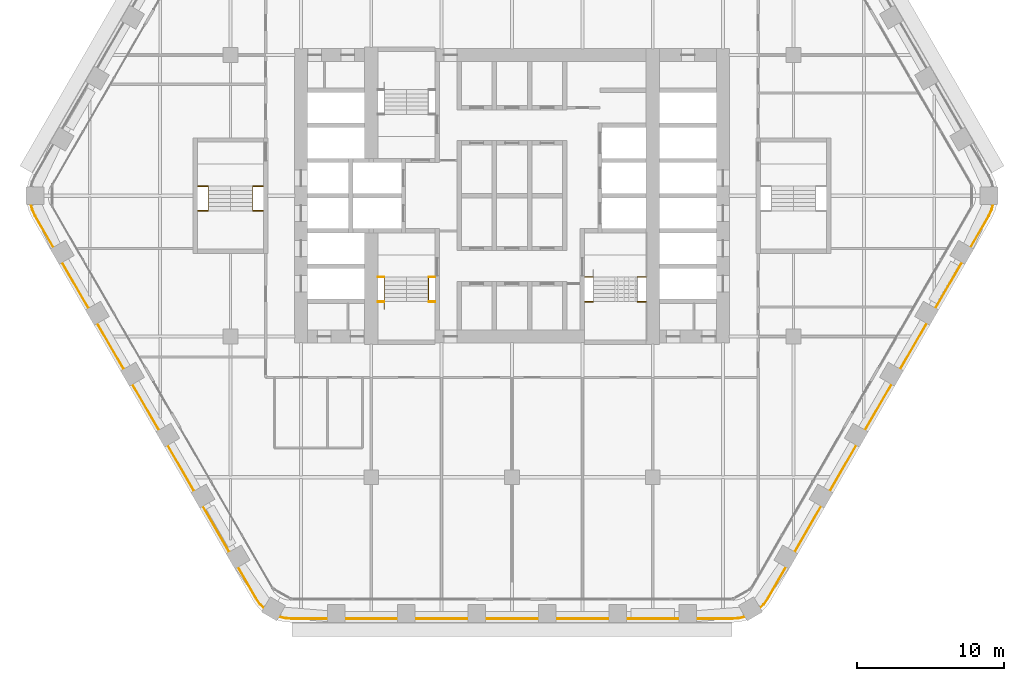
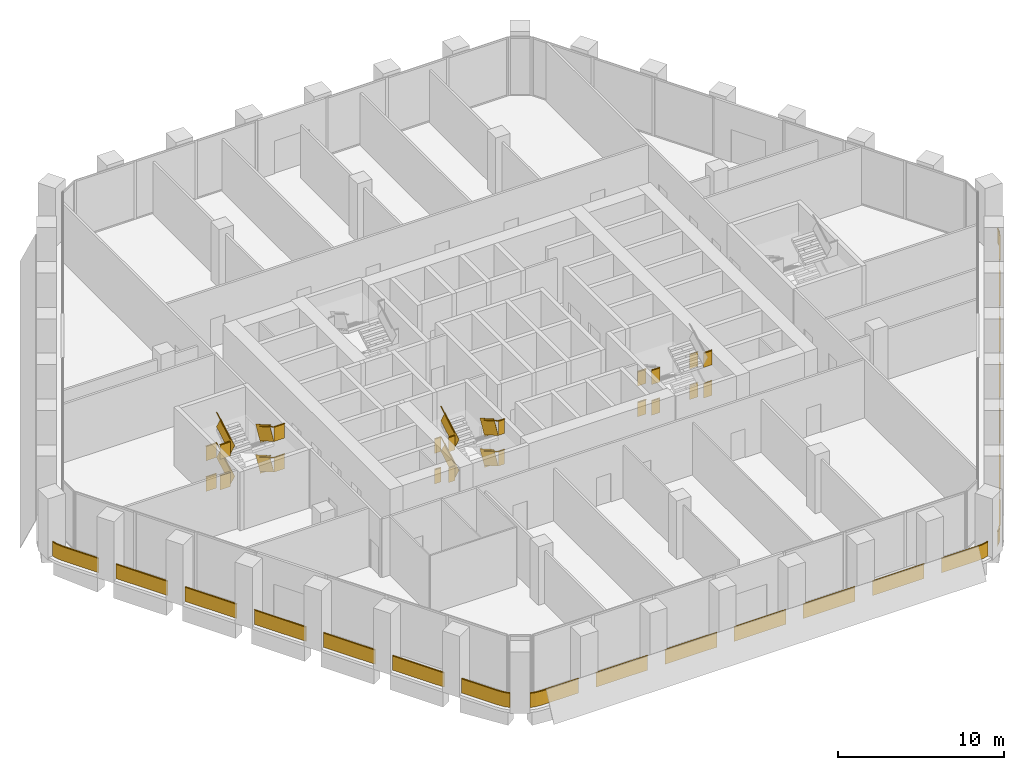
# One storey, part 21 of 22: 8 railings.
"""IFC4 building model written with IfcOpenShell, lengths in metres."""

from ifc_helpers import new_model, si_unit, direction, frame, frame_2d, origin, origin_2d, place, context, subcontext, project, spatial, rectangle, extrude, material, type_object, element, save


model = new_model("IFC4")

# Units and contexts
model_context = context("Model", 3, precision=1e-05, world=origin(), true_north=direction((0.0, 1.0)))
body_context = subcontext(model_context, "Body", "Model", "MODEL_VIEW")
ifc_project = project(units=[si_unit("LENGTHUNIT", "METRE"), si_unit("AREAUNIT", "SQUARE_METRE"), si_unit("VOLUMEUNIT", "CUBIC_METRE"), si_unit("PLANEANGLEUNIT", "RADIAN"), si_unit("MASSUNIT", "GRAM", prefix="KILO")], contexts=[model_context])

# Site, building, storey
site_placement = place(None, origin())
site = spatial("IfcSite", under=ifc_project, at=site_placement, CompositionType="ELEMENT")
building_placement = place(site_placement, origin())
building = spatial("IfcBuilding", under=site, at=building_placement, Name="Kolab Exchange Tower", CompositionType="ELEMENT")
storey_placement = place(building_placement, frame((0.0, 0.0, 113.89990234375)))
storey = spatial("IfcBuildingStorey", under=building, at=storey_placement, Name="L22", CompositionType="ELEMENT", Elevation=113.89990234375)

# Railings
ifc_material_1 = material(Name="Stainless steel 316", Category="steel")
railing_type_1 = type_object("IfcRailingType", Name="GUARD 1100", PredefinedType="GUARDRAIL", material=ifc_material_1)
railing_1_placement = place(storey_placement, frame((-9.14990234375, -5.550048828125, 0.0)))
element("IfcRailing", 1, at=railing_1_placement, inside=storey, type_object=railing_type_1, Name="Guard ST3", PredefinedType="GUARDRAIL", context=body_context, shape_type="SweptSolid", body=[
    extrude(rectangle(XDim=0.05, YDim=0.05, at=origin_2d()), frame((0.0, 0.0, 1.0751953125), z_axis=(1.0, 0.0, 0.0), x_axis=(0.0, 1.0, 0.0)), (0.0, 0.0, 1.0), 0.43994140625),
    extrude(rectangle(XDim=0.012, YDim=1.05009765625, at=frame_2d((0.0, 0.525146484375))), frame((0.0, 0.0, 0.0), z_axis=(1.0, 0.0, 0.0), x_axis=(0.0, 1.0, 0.0)), (0.0, 0.0, 1.0), 0.43994140625),
    extrude(rectangle(XDim=0.05, YDim=0.05, at=origin_2d()), frame((3.4599609375, 0.0, 1.0751953125), z_axis=(1.0, 0.0, 0.0), x_axis=(0.0, 1.0, 0.0)), (0.0, 0.0, 1.0), 0.43994140625),
    extrude(rectangle(XDim=0.012, YDim=1.05009765625, at=frame_2d((0.0, 0.525146484375))), frame((3.4599609375, 0.0, 0.0), z_axis=(1.0, 0.0, 0.0), x_axis=(0.0, 1.0, 0.0)), (0.0, 0.0, 1.0), 0.43994140625),
    extrude(rectangle(XDim=0.05, YDim=0.05, at=origin_2d()), frame((0.0, -1.679931640625, 2.2001953125), z_axis=(1.0, 0.0, 0.0), x_axis=(0.0, 1.0, 0.0)), (0.0, 0.0, 1.0), 0.43994140625),
    extrude(rectangle(XDim=0.012, YDim=1.05009765625, at=frame_2d((0.0, 0.525146484375))), frame((0.0, -1.679931640625, 1.125), z_axis=(1.0, 0.0, 0.0), x_axis=(0.0, 1.0, 0.0)), (0.0, 0.0, 1.0), 0.43994140625),
    extrude(rectangle(XDim=0.05, YDim=0.05, at=origin_2d()), frame((3.4599609375, -1.679931640625, 2.2001953125), z_axis=(1.0, 0.0, 0.0), x_axis=(0.0, 1.0, 0.0)), (0.0, 0.0, 1.0), 0.43994140625),
    extrude(rectangle(XDim=0.012, YDim=1.05009765625, at=frame_2d((0.0, 0.525146484375))), frame((3.4599609375, -1.679931640625, 1.125), z_axis=(1.0, 0.0, 0.0), x_axis=(0.0, 1.0, 0.0)), (0.0, 0.0, 1.0), 0.43994140625),
    extrude(rectangle(XDim=0.05, YDim=0.05, at=origin_2d()), frame((0.0, 0.0, 3.3251953125), z_axis=(1.0, 0.0, 0.0), x_axis=(0.0, 1.0, 0.0)), (0.0, 0.0, 1.0), 0.43994140625),
    extrude(rectangle(XDim=0.012, YDim=1.05009765625, at=frame_2d((0.0, 0.525146484375))), frame((0.0, 0.0, 2.25), z_axis=(1.0, 0.0, 0.0), x_axis=(0.0, 1.0, 0.0)), (0.0, 0.0, 1.0), 0.43994140625),
    extrude(rectangle(XDim=0.05, YDim=0.05, at=origin_2d()), frame((3.4599609375, 0.0, 3.3251953125), z_axis=(1.0, 0.0, 0.0), x_axis=(0.0, 1.0, 0.0)), (0.0, 0.0, 1.0), 0.43994140625),
    extrude(rectangle(XDim=0.012, YDim=1.05009765625, at=frame_2d((0.0, 0.525146484375))), frame((3.4599609375, 0.0, 2.25), z_axis=(1.0, 0.0, 0.0), x_axis=(0.0, 1.0, 0.0)), (0.0, 0.0, 1.0), 0.43994140625),
    extrude(rectangle(XDim=0.05, YDim=0.05, at=origin_2d()), frame((0.0, -1.679931640625, 4.4501953125), z_axis=(1.0, 0.0, 0.0), x_axis=(0.0, 1.0, 0.0)), (0.0, 0.0, 1.0), 0.43994140625),
    extrude(rectangle(XDim=0.012, YDim=1.05009765625, at=frame_2d((0.0, 0.525146484375))), frame((0.0, -1.679931640625, 3.375), z_axis=(1.0, 0.0, 0.0), x_axis=(0.0, 1.0, 0.0)), (0.0, 0.0, 1.0), 0.43994140625),
    extrude(rectangle(XDim=0.05, YDim=0.05, at=origin_2d()), frame((3.4599609375, -1.679931640625, 4.4501953125), z_axis=(1.0, 0.0, 0.0), x_axis=(0.0, 1.0, 0.0)), (0.0, 0.0, 1.0), 0.43994140625),
    extrude(rectangle(XDim=0.012, YDim=1.05009765625, at=frame_2d((0.0, 0.525146484375))), frame((3.4599609375, -1.679931640625, 3.375), z_axis=(1.0, 0.0, 0.0), x_axis=(0.0, 1.0, 0.0)), (0.0, 0.0, 1.0), 0.43994140625),
])
railing_2_placement = place(storey_placement, frame((-5.68994140625, -5.550048828125, 0.160888671875)))
element("IfcRailing", 2, at=railing_2_placement, inside=storey, type_object=railing_type_1, Name="Handrail guard ST3", PredefinedType="GUARDRAIL", context=body_context, shape_type="SweptSolid", body=[
    extrude(rectangle(XDim=0.05, YDim=0.05, at=origin_2d()), frame((0.0, 0.0, 1.0751953125), z_axis=(0.0, -0.867318599139, 0.497753400378), x_axis=(1.0, 0.0, 0.0)), (0.0, 0.0, 1.0), 1.93701171875),
    extrude(rectangle(XDim=0.012, YDim=1.05009765625, at=frame_2d((0.0, 0.525146484375))), frame((0.0, 0.0, 0.0), z_axis=(0.0, -0.867318599139, 0.497753400378), x_axis=(1.0, 0.0, 0.0)), (0.0, 0.0, 1.0), 1.93701171875),
    extrude(rectangle(XDim=0.05, YDim=0.05, at=origin_2d()), frame((-3.02001953125, -1.679931640625, 2.2001953125), z_axis=(0.0, 0.867318599139, 0.497753400378), x_axis=(-1.0, 0.0, 0.0)), (0.0, 0.0, 1.0), 1.93701171875),
    extrude(rectangle(XDim=0.012, YDim=1.05009765625, at=frame_2d((0.0, 0.525146484375))), frame((-3.02001953125, -1.679931640625, 1.125), z_axis=(0.0, 0.867318599139, 0.497753400378), x_axis=(-1.0, 0.0, 0.0)), (0.0, 0.0, 1.0), 1.93701171875),
    extrude(rectangle(XDim=0.05, YDim=0.05, at=origin_2d()), frame((0.0, 0.0, 3.3251953125), z_axis=(0.0, -0.867318599139, 0.497753400378), x_axis=(1.0, 0.0, 0.0)), (0.0, 0.0, 1.0), 1.93701171875),
    extrude(rectangle(XDim=0.012, YDim=1.05009765625, at=frame_2d((0.0, 0.525146484375))), frame((0.0, 0.0, 2.25), z_axis=(0.0, -0.867318599139, 0.497753400378), x_axis=(1.0, 0.0, 0.0)), (0.0, 0.0, 1.0), 1.93701171875),
    extrude(rectangle(XDim=0.05, YDim=0.05, at=origin_2d()), frame((-3.02001953125, -1.679931640625, 4.4501953125), z_axis=(0.0, 0.867318599139, 0.497753400378), x_axis=(-1.0, 0.0, 0.0)), (0.0, 0.0, 1.0), 1.93701171875),
    extrude(rectangle(XDim=0.012, YDim=1.05009765625, at=frame_2d((0.0, 0.525146484375))), frame((-3.02001953125, -1.679931640625, 3.375), z_axis=(0.0, 0.867318599139, 0.497753400378), x_axis=(-1.0, 0.0, 0.0)), (0.0, 0.0, 1.0), 1.93701171875),
])
railing_3_placement = place(storey_placement, frame((4.949951171875, -5.550048828125, 0.0)))
element("IfcRailing", 3, at=railing_3_placement, inside=storey, type_object=railing_type_1, Name="Guard ST2", PredefinedType="GUARDRAIL", context=body_context, shape_type="SweptSolid", body=[
    extrude(rectangle(XDim=0.05, YDim=0.05, at=origin_2d()), frame((0.0, 0.0, 1.0751953125), z_axis=(1.0, 0.0, 0.0), x_axis=(0.0, 1.0, 0.0)), (0.0, 0.0, 1.0), 0.590087890625),
    extrude(rectangle(XDim=0.012, YDim=1.05009765625, at=frame_2d((0.0, 0.525146484375))), frame((0.0, 0.0, 0.0), z_axis=(1.0, 0.0, 0.0), x_axis=(0.0, 1.0, 0.0)), (0.0, 0.0, 1.0), 0.590087890625),
    extrude(rectangle(XDim=0.05, YDim=0.05, at=origin_2d()), frame((3.610107421875, 0.0, 1.0751953125), z_axis=(1.0, 0.0, 0.0), x_axis=(0.0, 1.0, 0.0)), (0.0, 0.0, 1.0), 0.58984375),
    extrude(rectangle(XDim=0.012, YDim=1.05009765625, at=frame_2d((0.0, 0.525146484375))), frame((3.610107421875, 0.0, 0.0), z_axis=(1.0, 0.0, 0.0), x_axis=(0.0, 1.0, 0.0)), (0.0, 0.0, 1.0), 0.58984375),
    extrude(rectangle(XDim=0.05, YDim=0.05, at=origin_2d()), frame((0.0, -1.679931640625, 2.2001953125), z_axis=(1.0, 0.0, 0.0), x_axis=(0.0, 1.0, 0.0)), (0.0, 0.0, 1.0), 0.590087890625),
    extrude(rectangle(XDim=0.012, YDim=1.05009765625, at=frame_2d((0.0, 0.525146484375))), frame((0.0, -1.679931640625, 1.125), z_axis=(1.0, 0.0, 0.0), x_axis=(0.0, 1.0, 0.0)), (0.0, 0.0, 1.0), 0.590087890625),
    extrude(rectangle(XDim=0.05, YDim=0.05, at=origin_2d()), frame((3.610107421875, -1.679931640625, 2.2001953125), z_axis=(1.0, 0.0, 0.0), x_axis=(0.0, 1.0, 0.0)), (0.0, 0.0, 1.0), 0.58984375),
    extrude(rectangle(XDim=0.012, YDim=1.05009765625, at=frame_2d((0.0, 0.525146484375))), frame((3.610107421875, -1.679931640625, 1.125), z_axis=(1.0, 0.0, 0.0), x_axis=(0.0, 1.0, 0.0)), (0.0, 0.0, 1.0), 0.58984375),
    extrude(rectangle(XDim=0.05, YDim=0.05, at=origin_2d()), frame((0.0, 0.0, 3.3251953125), z_axis=(1.0, 0.0, 0.0), x_axis=(0.0, 1.0, 0.0)), (0.0, 0.0, 1.0), 0.590087890625),
    extrude(rectangle(XDim=0.012, YDim=1.05009765625, at=frame_2d((0.0, 0.525146484375))), frame((0.0, 0.0, 2.25), z_axis=(1.0, 0.0, 0.0), x_axis=(0.0, 1.0, 0.0)), (0.0, 0.0, 1.0), 0.590087890625),
    extrude(rectangle(XDim=0.05, YDim=0.05, at=origin_2d()), frame((3.610107421875, 0.0, 3.3251953125), z_axis=(1.0, 0.0, 0.0), x_axis=(0.0, 1.0, 0.0)), (0.0, 0.0, 1.0), 0.58984375),
    extrude(rectangle(XDim=0.012, YDim=1.05009765625, at=frame_2d((0.0, 0.525146484375))), frame((3.610107421875, 0.0, 2.25), z_axis=(1.0, 0.0, 0.0), x_axis=(0.0, 1.0, 0.0)), (0.0, 0.0, 1.0), 0.58984375),
    extrude(rectangle(XDim=0.05, YDim=0.05, at=origin_2d()), frame((0.0, -1.679931640625, 4.4501953125), z_axis=(1.0, 0.0, 0.0), x_axis=(0.0, 1.0, 0.0)), (0.0, 0.0, 1.0), 0.590087890625),
    extrude(rectangle(XDim=0.012, YDim=1.05009765625, at=frame_2d((0.0, 0.525146484375))), frame((0.0, -1.679931640625, 3.375), z_axis=(1.0, 0.0, 0.0), x_axis=(0.0, 1.0, 0.0)), (0.0, 0.0, 1.0), 0.590087890625),
    extrude(rectangle(XDim=0.05, YDim=0.05, at=origin_2d()), frame((3.610107421875, -1.679931640625, 4.4501953125), z_axis=(1.0, 0.0, 0.0), x_axis=(0.0, 1.0, 0.0)), (0.0, 0.0, 1.0), 0.58984375),
    extrude(rectangle(XDim=0.012, YDim=1.05009765625, at=frame_2d((0.0, 0.525146484375))), frame((3.610107421875, -1.679931640625, 3.375), z_axis=(1.0, 0.0, 0.0), x_axis=(0.0, 1.0, 0.0)), (0.0, 0.0, 1.0), 0.58984375),
])
railing_4_placement = place(storey_placement, frame((-21.449951171875, 0.64990234375, 0.0)))
element("IfcRailing", 4, at=railing_4_placement, inside=storey, type_object=railing_type_1, Name="Guard ST5", PredefinedType="GUARDRAIL", context=body_context, shape_type="SweptSolid", body=[
    extrude(rectangle(XDim=0.05, YDim=0.05, at=origin_2d()), frame((0.0, 0.0, 1.0751953125), z_axis=(1.0, 0.0, 0.0), x_axis=(0.0, 1.0, 0.0)), (0.0, 0.0, 1.0), 0.739990234375),
    extrude(rectangle(XDim=0.012, YDim=1.05009765625, at=frame_2d((0.0, 0.525146484375))), frame((0.0, 0.0, 0.0), z_axis=(1.0, 0.0, 0.0), x_axis=(0.0, 1.0, 0.0)), (0.0, 0.0, 1.0), 0.739990234375),
    extrude(rectangle(XDim=0.05, YDim=0.05, at=origin_2d()), frame((3.760009765625, 0.0, 1.0751953125), z_axis=(1.0, 0.0, 0.0), x_axis=(0.0, 1.0, 0.0)), (0.0, 0.0, 1.0), 0.739990234375),
    extrude(rectangle(XDim=0.012, YDim=1.05009765625, at=frame_2d((0.0, 0.525146484375))), frame((3.760009765625, 0.0, 0.0), z_axis=(1.0, 0.0, 0.0), x_axis=(0.0, 1.0, 0.0)), (0.0, 0.0, 1.0), 0.739990234375),
    extrude(rectangle(XDim=0.05, YDim=0.05, at=origin_2d()), frame((0.0, -1.679931640625, 2.2001953125), z_axis=(1.0, 0.0, 0.0), x_axis=(0.0, 1.0, 0.0)), (0.0, 0.0, 1.0), 0.739990234375),
    extrude(rectangle(XDim=0.012, YDim=1.05009765625, at=frame_2d((0.0, 0.525146484375))), frame((0.0, -1.679931640625, 1.125), z_axis=(1.0, 0.0, 0.0), x_axis=(0.0, 1.0, 0.0)), (0.0, 0.0, 1.0), 0.739990234375),
    extrude(rectangle(XDim=0.05, YDim=0.05, at=origin_2d()), frame((3.760009765625, -1.679931640625, 2.2001953125), z_axis=(1.0, 0.0, 0.0), x_axis=(0.0, 1.0, 0.0)), (0.0, 0.0, 1.0), 0.739990234375),
    extrude(rectangle(XDim=0.012, YDim=1.05009765625, at=frame_2d((0.0, 0.525146484375))), frame((3.760009765625, -1.679931640625, 1.125), z_axis=(1.0, 0.0, 0.0), x_axis=(0.0, 1.0, 0.0)), (0.0, 0.0, 1.0), 0.739990234375),
    extrude(rectangle(XDim=0.05, YDim=0.05, at=origin_2d()), frame((0.0, 0.0, 3.3251953125), z_axis=(1.0, 0.0, 0.0), x_axis=(0.0, 1.0, 0.0)), (0.0, 0.0, 1.0), 0.739990234375),
    extrude(rectangle(XDim=0.012, YDim=1.05009765625, at=frame_2d((0.0, 0.525146484375))), frame((0.0, 0.0, 2.25), z_axis=(1.0, 0.0, 0.0), x_axis=(0.0, 1.0, 0.0)), (0.0, 0.0, 1.0), 0.739990234375),
    extrude(rectangle(XDim=0.05, YDim=0.05, at=origin_2d()), frame((3.760009765625, 0.0, 3.3251953125), z_axis=(1.0, 0.0, 0.0), x_axis=(0.0, 1.0, 0.0)), (0.0, 0.0, 1.0), 0.739990234375),
    extrude(rectangle(XDim=0.012, YDim=1.05009765625, at=frame_2d((0.0, 0.525146484375))), frame((3.760009765625, 0.0, 2.25), z_axis=(1.0, 0.0, 0.0), x_axis=(0.0, 1.0, 0.0)), (0.0, 0.0, 1.0), 0.739990234375),
    extrude(rectangle(XDim=0.05, YDim=0.05, at=origin_2d()), frame((0.0, -1.679931640625, 4.4501953125), z_axis=(1.0, 0.0, 0.0), x_axis=(0.0, 1.0, 0.0)), (0.0, 0.0, 1.0), 0.739990234375),
    extrude(rectangle(XDim=0.012, YDim=1.05009765625, at=frame_2d((0.0, 0.525146484375))), frame((0.0, -1.679931640625, 3.375), z_axis=(1.0, 0.0, 0.0), x_axis=(0.0, 1.0, 0.0)), (0.0, 0.0, 1.0), 0.739990234375),
    extrude(rectangle(XDim=0.05, YDim=0.05, at=origin_2d()), frame((3.760009765625, -1.679931640625, 4.4501953125), z_axis=(1.0, 0.0, 0.0), x_axis=(0.0, 1.0, 0.0)), (0.0, 0.0, 1.0), 0.739990234375),
    extrude(rectangle(XDim=0.012, YDim=1.05009765625, at=frame_2d((0.0, 0.525146484375))), frame((3.760009765625, -1.679931640625, 3.375), z_axis=(1.0, 0.0, 0.0), x_axis=(0.0, 1.0, 0.0)), (0.0, 0.0, 1.0), 0.739990234375),
])
railing_5_placement = place(storey_placement, frame((-17.68994140625, 0.64990234375, 0.160888671875)))
element("IfcRailing", 5, at=railing_5_placement, inside=storey, type_object=railing_type_1, Name="Handrail guard ST5", PredefinedType="GUARDRAIL", context=body_context, shape_type="SweptSolid", body=[
    extrude(rectangle(XDim=0.05, YDim=0.05, at=origin_2d()), frame((0.0, 0.0, 1.0751953125), z_axis=(0.0, -0.867318599139, 0.497753400378), x_axis=(1.0, 0.0, 0.0)), (0.0, 0.0, 1.0), 1.93701171875),
    extrude(rectangle(XDim=0.012, YDim=1.05009765625, at=frame_2d((0.0, 0.525146484375))), frame((0.0, 0.0, 0.0), z_axis=(0.0, -0.867318599139, 0.497753400378), x_axis=(1.0, 0.0, 0.0)), (0.0, 0.0, 1.0), 1.93701171875),
    extrude(rectangle(XDim=0.05, YDim=0.05, at=origin_2d()), frame((-3.02001953125, -1.679931640625, 2.2001953125), z_axis=(0.0, 0.867318599139, 0.497753400378), x_axis=(-1.0, 0.0, 0.0)), (0.0, 0.0, 1.0), 1.93701171875),
    extrude(rectangle(XDim=0.012, YDim=1.05009765625, at=frame_2d((0.0, 0.525146484375))), frame((-3.02001953125, -1.679931640625, 1.125), z_axis=(0.0, 0.867318599139, 0.497753400378), x_axis=(-1.0, 0.0, 0.0)), (0.0, 0.0, 1.0), 1.93701171875),
    extrude(rectangle(XDim=0.05, YDim=0.05, at=origin_2d()), frame((0.0, 0.0, 3.3251953125), z_axis=(0.0, -0.867318599139, 0.497753400378), x_axis=(1.0, 0.0, 0.0)), (0.0, 0.0, 1.0), 1.93701171875),
    extrude(rectangle(XDim=0.012, YDim=1.05009765625, at=frame_2d((0.0, 0.525146484375))), frame((0.0, 0.0, 2.25), z_axis=(0.0, -0.867318599139, 0.497753400378), x_axis=(1.0, 0.0, 0.0)), (0.0, 0.0, 1.0), 1.93701171875),
    extrude(rectangle(XDim=0.05, YDim=0.05, at=origin_2d()), frame((-3.02001953125, -1.679931640625, 4.4501953125), z_axis=(0.0, 0.867318599139, 0.497753400378), x_axis=(-1.0, 0.0, 0.0)), (0.0, 0.0, 1.0), 1.93701171875),
    extrude(rectangle(XDim=0.012, YDim=1.05009765625, at=frame_2d((0.0, 0.525146484375))), frame((-3.02001953125, -1.679931640625, 3.375), z_axis=(0.0, 0.867318599139, 0.497753400378), x_axis=(-1.0, 0.0, 0.0)), (0.0, 0.0, 1.0), 1.93701171875),
])
ifc_material_2 = material(Name="Steel S235", Category="steel")
railing_type_2 = type_object("IfcRailingType", Name="GUARD 1100 GLASS BALUSTRADE AND STEEL TOP RAIL", PredefinedType="GUARDRAIL", material=ifc_material_2)
railing_6_placement = place(storey_placement, frame((16.9208984375, -28.119873046875, 0.0)))
element("IfcRailing", 6, at=railing_6_placement, inside=storey, type_object=railing_type_2, Name="Guard", PredefinedType="GUARDRAIL", context=body_context, shape_type="SweptSolid", body=[
    extrude(rectangle(XDim=0.05, YDim=0.05, at=origin_2d()), frame((0.0, 0.0, 1.0751953125), z_axis=(0.707106781187, 0.707106781187, 0.0), x_axis=(-0.707106781187, 0.707106781187, 0.0)), (0.0, 0.0, 1.0), 0.358642578125),
    extrude(rectangle(XDim=0.012, YDim=1.05009765625, at=frame_2d((0.0, 0.525146484375))), frame((0.0, 0.0, 0.0), z_axis=(0.707106781187, 0.707106781187, 0.0), x_axis=(-0.707106781187, 0.707106781187, 0.0)), (0.0, 0.0, 1.0), 0.358642578125),
    extrude(rectangle(XDim=0.05, YDim=0.05, at=origin_2d()), frame((0.253662109375, 0.253662109375, 1.0751953125), z_axis=(0.573359816273, 0.819303680624, 0.0), x_axis=(-0.819303680624, 0.573359816273, 0.0)), (0.0, 0.0, 1.0), 0.4794921875),
    extrude(rectangle(XDim=0.012, YDim=1.05009765625, at=frame_2d((0.0, 0.525146484375))), frame((0.253662109375, 0.253662109375, 0.0), z_axis=(0.573359816273, 0.819303680624, 0.0), x_axis=(-0.819303680624, 0.573359816273, 0.0)), (0.0, 0.0, 1.0), 0.4794921875),
    extrude(rectangle(XDim=0.05, YDim=0.05, at=origin_2d()), frame((0.528564453125, 0.646484375, 1.0751953125), z_axis=(0.500064973171, 0.865987888257, 0.0), x_axis=(-0.865987888257, 0.500064973171, 0.0)), (0.0, 0.0, 1.0), 2.468017578125),
    extrude(rectangle(XDim=0.012, YDim=1.05009765625, at=frame_2d((0.0, 0.525146484375))), frame((0.528564453125, 0.646484375, 0.0), z_axis=(0.500064973171, 0.865987888257, 0.0), x_axis=(-0.865987888257, 0.500064973171, 0.0)), (0.0, 0.0, 1.0), 2.468017578125),
    extrude(rectangle(XDim=0.05, YDim=0.05, at=origin_2d()), frame((2.362548828125, 3.822998046875, 1.0751953125), z_axis=(0.500012057535, 0.866018442252, 0.0), x_axis=(-0.866018442252, 0.500012057535, 0.0)), (0.0, 0.0, 1.0), 3.60009765625),
    extrude(rectangle(XDim=0.012, YDim=1.05009765625, at=frame_2d((0.0, 0.525146484375))), frame((2.362548828125, 3.822998046875, 0.0), z_axis=(0.500012057535, 0.866018442252, 0.0), x_axis=(-0.866018442252, 0.500012057535, 0.0)), (0.0, 0.0, 1.0), 3.60009765625),
    extrude(rectangle(XDim=0.05, YDim=0.05, at=origin_2d()), frame((4.7626953125, 7.97998046875, 1.0751953125), z_axis=(0.499961193289, 0.866047807691, 0.0), x_axis=(-0.866047807691, 0.499961193289, 0.0)), (0.0, 0.0, 1.0), 3.599853515625),
    extrude(rectangle(XDim=0.012, YDim=1.05009765625, at=frame_2d((0.0, 0.525146484375))), frame((4.7626953125, 7.97998046875, 0.0), z_axis=(0.499961193289, 0.866047807691, 0.0), x_axis=(-0.866047807691, 0.499961193289, 0.0)), (0.0, 0.0, 1.0), 3.599853515625),
    extrude(rectangle(XDim=0.05, YDim=0.05, at=origin_2d()), frame((7.16259765625, 12.13671875, 1.0751953125), z_axis=(0.500012057535, 0.866018442252, 0.0), x_axis=(-0.866018442252, 0.500012057535, 0.0)), (0.0, 0.0, 1.0), 3.60009765625),
    extrude(rectangle(XDim=0.012, YDim=1.05009765625, at=frame_2d((0.0, 0.525146484375))), frame((7.16259765625, 12.13671875, 0.0), z_axis=(0.500012057535, 0.866018442252, 0.0), x_axis=(-0.866018442252, 0.500012057535, 0.0)), (0.0, 0.0, 1.0), 3.60009765625),
    extrude(rectangle(XDim=0.05, YDim=0.05, at=origin_2d()), frame((9.5625, 16.293701171875, 1.0751953125), z_axis=(0.500012057535, 0.866018442252, 0.0), x_axis=(-0.866018442252, 0.500012057535, 0.0)), (0.0, 0.0, 1.0), 3.60009765625),
    extrude(rectangle(XDim=0.012, YDim=1.05009765625, at=frame_2d((0.0, 0.525146484375))), frame((9.5625, 16.293701171875, 0.0), z_axis=(0.500012057535, 0.866018442252, 0.0), x_axis=(-0.866018442252, 0.500012057535, 0.0)), (0.0, 0.0, 1.0), 3.60009765625),
    extrude(rectangle(XDim=0.05, YDim=0.05, at=origin_2d()), frame((11.962646484375, 20.45068359375, 1.0751953125), z_axis=(0.500012057535, 0.866018442252, 0.0), x_axis=(-0.866018442252, 0.500012057535, 0.0)), (0.0, 0.0, 1.0), 3.60009765625),
    extrude(rectangle(XDim=0.012, YDim=1.05009765625, at=frame_2d((0.0, 0.525146484375))), frame((11.962646484375, 20.45068359375, 0.0), z_axis=(0.500012057535, 0.866018442252, 0.0), x_axis=(-0.866018442252, 0.500012057535, 0.0)), (0.0, 0.0, 1.0), 3.60009765625),
    extrude(rectangle(XDim=0.05, YDim=0.05, at=origin_2d()), frame((14.362548828125, 24.607666015625, 1.0751953125), z_axis=(0.500064973171, 0.865987888257, 0.0), x_axis=(-0.865987888257, 0.500064973171, 0.0)), (0.0, 0.0, 1.0), 2.468017578125),
    extrude(rectangle(XDim=0.012, YDim=1.05009765625, at=frame_2d((0.0, 0.525146484375))), frame((14.362548828125, 24.607666015625, 0.0), z_axis=(0.500064973171, 0.865987888257, 0.0), x_axis=(-0.865987888257, 0.500064973171, 0.0)), (0.0, 0.0, 1.0), 2.468017578125),
    extrude(rectangle(XDim=0.05, YDim=0.05, at=origin_2d()), frame((15.5966796875, 26.744873046875, 1.0751953125), z_axis=(0.422383329074, 0.906417300872, 0.0), x_axis=(-0.906417300872, 0.422383329074, 0.0)), (0.0, 0.0, 1.0), 0.479248046875),
    extrude(rectangle(XDim=0.012, YDim=1.05009765625, at=frame_2d((0.0, 0.525146484375))), frame((15.5966796875, 26.744873046875, 0.0), z_axis=(0.422383329074, 0.906417300872, 0.0), x_axis=(-0.906417300872, 0.422383329074, 0.0)), (0.0, 0.0, 1.0), 0.479248046875),
    extrude(rectangle(XDim=0.05, YDim=0.05, at=origin_2d()), frame((15.799072265625, 27.17919921875, 1.0751953125), z_axis=(0.259144041577, 0.965838685141, 0.0), x_axis=(-0.965838685141, 0.259144041577, 0.0)), (0.0, 0.0, 1.0), 0.35888671875),
    extrude(rectangle(XDim=0.012, YDim=1.05009765625, at=frame_2d((0.0, 0.525146484375))), frame((15.799072265625, 27.17919921875, 0.0), z_axis=(0.259144041577, 0.965838685141, 0.0), x_axis=(-0.965838685141, 0.259144041577, 0.0)), (0.0, 0.0, 1.0), 0.35888671875),
])
railing_7_placement = place(storey_placement, frame((-15.89208984375, -28.7138671875, 0.0)))
element("IfcRailing", 7, at=railing_7_placement, inside=storey, type_object=railing_type_2, Name="Guard", PredefinedType="GUARDRAIL", context=body_context, shape_type="SweptSolid", body=[
    extrude(rectangle(XDim=0.05, YDim=0.05, at=origin_2d()), frame((0.0, 0.0, 1.0751953125), z_axis=(0.966008746817, -0.258509382951, 0.0), x_axis=(0.258509382951, 0.966008746817, 0.0)), (0.0, 0.0, 1.0), 0.35888671875),
    extrude(rectangle(XDim=0.012, YDim=1.05009765625, at=frame_2d((0.0, 0.525146484375))), frame((0.0, 0.0, 0.0), z_axis=(0.966008746817, -0.258509382951, 0.0), x_axis=(0.258509382951, 0.966008746817, 0.0)), (0.0, 0.0, 1.0), 0.35888671875),
    extrude(rectangle(XDim=0.05, YDim=0.05, at=origin_2d()), frame((0.3466796875, -0.0927734375, 1.0751953125), z_axis=(0.996200348447, -0.087091134757, 0.0), x_axis=(0.087091134757, 0.996200348447, 0.0)), (0.0, 0.0, 1.0), 0.479248046875),
    extrude(rectangle(XDim=0.012, YDim=1.05009765625, at=frame_2d((0.0, 0.525146484375))), frame((0.3466796875, -0.0927734375, 0.0), z_axis=(0.996200348447, -0.087091134757, 0.0), x_axis=(0.087091134757, 0.996200348447, 0.0)), (0.0, 0.0, 1.0), 0.479248046875),
    extrude(rectangle(XDim=0.05, YDim=0.05, at=origin_2d()), frame((0.82421875, -0.134521484375, 1.0751953125), z_axis=(1.0, 0.0, 0.0), x_axis=(0.0, 1.0, 0.0)), (0.0, 0.0, 1.0), 2.4677734375),
    extrude(rectangle(XDim=0.012, YDim=1.05009765625, at=frame_2d((0.0, 0.525146484375))), frame((0.82421875, -0.134521484375, 0.0), z_axis=(1.0, 0.0, 0.0), x_axis=(0.0, 1.0, 0.0)), (0.0, 0.0, 1.0), 2.4677734375),
    extrude(rectangle(XDim=0.05, YDim=0.05, at=origin_2d()), frame((4.4921875, -0.134521484375, 1.0751953125), z_axis=(1.0, 0.0, 0.0), x_axis=(0.0, 1.0, 0.0)), (0.0, 0.0, 1.0), 3.599853515625),
    extrude(rectangle(XDim=0.012, YDim=1.05009765625, at=frame_2d((0.0, 0.525146484375))), frame((4.4921875, -0.134521484375, 0.0), z_axis=(1.0, 0.0, 0.0), x_axis=(0.0, 1.0, 0.0)), (0.0, 0.0, 1.0), 3.599853515625),
    extrude(rectangle(XDim=0.05, YDim=0.05, at=origin_2d()), frame((9.2919921875, -0.134521484375, 1.0751953125), z_axis=(1.0, 0.0, 0.0), x_axis=(0.0, 1.0, 0.0)), (0.0, 0.0, 1.0), 3.60009765625),
    extrude(rectangle(XDim=0.012, YDim=1.05009765625, at=frame_2d((0.0, 0.525146484375))), frame((9.2919921875, -0.134521484375, 0.0), z_axis=(1.0, 0.0, 0.0), x_axis=(0.0, 1.0, 0.0)), (0.0, 0.0, 1.0), 3.60009765625),
    extrude(rectangle(XDim=0.05, YDim=0.05, at=origin_2d()), frame((14.092041015625, -0.134521484375, 1.0751953125), z_axis=(1.0, 0.0, 0.0), x_axis=(0.0, 1.0, 0.0)), (0.0, 0.0, 1.0), 3.60009765625),
    extrude(rectangle(XDim=0.012, YDim=1.05009765625, at=frame_2d((0.0, 0.525146484375))), frame((14.092041015625, -0.134521484375, 0.0), z_axis=(1.0, 0.0, 0.0), x_axis=(0.0, 1.0, 0.0)), (0.0, 0.0, 1.0), 3.60009765625),
    extrude(rectangle(XDim=0.05, YDim=0.05, at=origin_2d()), frame((18.89208984375, -0.134521484375, 1.0751953125), z_axis=(1.0, 0.0, 0.0), x_axis=(0.0, 1.0, 0.0)), (0.0, 0.0, 1.0), 3.60009765625),
    extrude(rectangle(XDim=0.012, YDim=1.05009765625, at=frame_2d((0.0, 0.525146484375))), frame((18.89208984375, -0.134521484375, 0.0), z_axis=(1.0, 0.0, 0.0), x_axis=(0.0, 1.0, 0.0)), (0.0, 0.0, 1.0), 3.60009765625),
    extrude(rectangle(XDim=0.05, YDim=0.05, at=origin_2d()), frame((23.692138671875, -0.134521484375, 1.0751953125), z_axis=(1.0, 0.0, 0.0), x_axis=(0.0, 1.0, 0.0)), (0.0, 0.0, 1.0), 3.599853515625),
    extrude(rectangle(XDim=0.012, YDim=1.05009765625, at=frame_2d((0.0, 0.525146484375))), frame((23.692138671875, -0.134521484375, 0.0), z_axis=(1.0, 0.0, 0.0), x_axis=(0.0, 1.0, 0.0)), (0.0, 0.0, 1.0), 3.599853515625),
    extrude(rectangle(XDim=0.05, YDim=0.05, at=origin_2d()), frame((28.4921875, -0.134521484375, 1.0751953125), z_axis=(1.0, 0.0, 0.0), x_axis=(0.0, 1.0, 0.0)), (0.0, 0.0, 1.0), 2.4677734375),
    extrude(rectangle(XDim=0.012, YDim=1.05009765625, at=frame_2d((0.0, 0.525146484375))), frame((28.4921875, -0.134521484375, 0.0), z_axis=(1.0, 0.0, 0.0), x_axis=(0.0, 1.0, 0.0)), (0.0, 0.0, 1.0), 2.4677734375),
    extrude(rectangle(XDim=0.05, YDim=0.05, at=origin_2d()), frame((30.9599609375, -0.134521484375, 1.0751953125), z_axis=(0.996200348447, 0.087091134757, 0.0), x_axis=(-0.087091134757, 0.996200348447, 0.0)), (0.0, 0.0, 1.0), 0.479248046875),
    extrude(rectangle(XDim=0.012, YDim=1.05009765625, at=frame_2d((0.0, 0.525146484375))), frame((30.9599609375, -0.134521484375, 0.0), z_axis=(0.996200348447, 0.087091134757, 0.0), x_axis=(-0.087091134757, 0.996200348447, 0.0)), (0.0, 0.0, 1.0), 0.479248046875),
    extrude(rectangle(XDim=0.05, YDim=0.05, at=origin_2d()), frame((31.4375, -0.0927734375, 1.0751953125), z_axis=(0.966008746817, 0.258509382951, 0.0), x_axis=(-0.258509382951, 0.966008746817, 0.0)), (0.0, 0.0, 1.0), 0.35888671875),
    extrude(rectangle(XDim=0.012, YDim=1.05009765625, at=frame_2d((0.0, 0.525146484375))), frame((31.4375, -0.0927734375, 0.0), z_axis=(0.966008746817, 0.258509382951, 0.0), x_axis=(-0.258509382951, 0.966008746817, 0.0)), (0.0, 0.0, 1.0), 0.35888671875),
])
railing_8_placement = place(storey_placement, frame((-32.81298828125, -0.593994140625, 0.0)))
element("IfcRailing", 8, at=railing_8_placement, inside=storey, type_object=railing_type_2, Name="Guard", PredefinedType="GUARDRAIL", context=body_context, shape_type="SweptSolid", body=[
    extrude(rectangle(XDim=0.05, YDim=0.05, at=origin_2d()), frame((0.0, 0.0, 1.0751953125), z_axis=(0.259144041577, -0.965838685141, 0.0), x_axis=(0.965838685141, 0.259144041577, 0.0)), (0.0, 0.0, 1.0), 0.35888671875),
    extrude(rectangle(XDim=0.012, YDim=1.05009765625, at=frame_2d((0.0, 0.525146484375))), frame((0.0, 0.0, 0.0), z_axis=(0.259144041577, -0.965838685141, 0.0), x_axis=(0.965838685141, 0.259144041577, 0.0)), (0.0, 0.0, 1.0), 0.35888671875),
    extrude(rectangle(XDim=0.05, YDim=0.05, at=origin_2d()), frame((0.093017578125, -0.3466796875, 1.0751953125), z_axis=(0.422383329074, -0.906417300872, 0.0), x_axis=(0.906417300872, 0.422383329074, 0.0)), (0.0, 0.0, 1.0), 0.479248046875),
    extrude(rectangle(XDim=0.012, YDim=1.05009765625, at=frame_2d((0.0, 0.525146484375))), frame((0.093017578125, -0.3466796875, 0.0), z_axis=(0.422383329074, -0.906417300872, 0.0), x_axis=(0.906417300872, 0.422383329074, 0.0)), (0.0, 0.0, 1.0), 0.479248046875),
    extrude(rectangle(XDim=0.05, YDim=0.05, at=origin_2d()), frame((0.29541015625, -0.781005859375, 1.0751953125), z_axis=(0.500064973171, -0.865987888257, 0.0), x_axis=(0.865987888257, 0.500064973171, 0.0)), (0.0, 0.0, 1.0), 2.468017578125),
    extrude(rectangle(XDim=0.012, YDim=1.05009765625, at=frame_2d((0.0, 0.525146484375))), frame((0.29541015625, -0.781005859375, 0.0), z_axis=(0.500064973171, -0.865987888257, 0.0), x_axis=(0.865987888257, 0.500064973171, 0.0)), (0.0, 0.0, 1.0), 2.468017578125),
    extrude(rectangle(XDim=0.05, YDim=0.05, at=origin_2d()), frame((2.12939453125, -3.95751953125, 1.0751953125), z_axis=(0.500012057535, -0.866018442252, 0.0), x_axis=(0.866018442252, 0.500012057535, 0.0)), (0.0, 0.0, 1.0), 3.60009765625),
    extrude(rectangle(XDim=0.012, YDim=1.05009765625, at=frame_2d((0.0, 0.525146484375))), frame((2.12939453125, -3.95751953125, 0.0), z_axis=(0.500012057535, -0.866018442252, 0.0), x_axis=(0.866018442252, 0.500012057535, 0.0)), (0.0, 0.0, 1.0), 3.60009765625),
    extrude(rectangle(XDim=0.05, YDim=0.05, at=origin_2d()), frame((4.529541015625, -8.114501953125, 1.0751953125), z_axis=(0.500012057535, -0.866018442252, 0.0), x_axis=(0.866018442252, 0.500012057535, 0.0)), (0.0, 0.0, 1.0), 3.60009765625),
    extrude(rectangle(XDim=0.012, YDim=1.05009765625, at=frame_2d((0.0, 0.525146484375))), frame((4.529541015625, -8.114501953125, 0.0), z_axis=(0.500012057535, -0.866018442252, 0.0), x_axis=(0.866018442252, 0.500012057535, 0.0)), (0.0, 0.0, 1.0), 3.60009765625),
    extrude(rectangle(XDim=0.05, YDim=0.05, at=origin_2d()), frame((6.929443359375, -12.271484375, 1.0751953125), z_axis=(0.500012057535, -0.866018442252, 0.0), x_axis=(0.866018442252, 0.500012057535, 0.0)), (0.0, 0.0, 1.0), 3.60009765625),
    extrude(rectangle(XDim=0.012, YDim=1.05009765625, at=frame_2d((0.0, 0.525146484375))), frame((6.929443359375, -12.271484375, 0.0), z_axis=(0.500012057535, -0.866018442252, 0.0), x_axis=(0.866018442252, 0.500012057535, 0.0)), (0.0, 0.0, 1.0), 3.60009765625),
    extrude(rectangle(XDim=0.05, YDim=0.05, at=origin_2d()), frame((9.32958984375, -16.42822265625, 1.0751953125), z_axis=(0.499961193289, -0.866047807691, 0.0), x_axis=(0.866047807691, 0.499961193289, 0.0)), (0.0, 0.0, 1.0), 3.599853515625),
    extrude(rectangle(XDim=0.012, YDim=1.05009765625, at=frame_2d((0.0, 0.525146484375))), frame((9.32958984375, -16.42822265625, 0.0), z_axis=(0.499961193289, -0.866047807691, 0.0), x_axis=(0.866047807691, 0.499961193289, 0.0)), (0.0, 0.0, 1.0), 3.599853515625),
    extrude(rectangle(XDim=0.05, YDim=0.05, at=origin_2d()), frame((11.7294921875, -20.585205078125, 1.0751953125), z_axis=(0.500012057535, -0.866018442252, 0.0), x_axis=(0.866018442252, 0.500012057535, 0.0)), (0.0, 0.0, 1.0), 3.60009765625),
    extrude(rectangle(XDim=0.012, YDim=1.05009765625, at=frame_2d((0.0, 0.525146484375))), frame((11.7294921875, -20.585205078125, 0.0), z_axis=(0.500012057535, -0.866018442252, 0.0), x_axis=(0.866018442252, 0.500012057535, 0.0)), (0.0, 0.0, 1.0), 3.60009765625),
    extrude(rectangle(XDim=0.05, YDim=0.05, at=origin_2d()), frame((14.12939453125, -24.7421875, 1.0751953125), z_axis=(0.500064973171, -0.865987888257, 0.0), x_axis=(0.865987888257, 0.500064973171, 0.0)), (0.0, 0.0, 1.0), 2.468017578125),
    extrude(rectangle(XDim=0.012, YDim=1.05009765625, at=frame_2d((0.0, 0.525146484375))), frame((14.12939453125, -24.7421875, 0.0), z_axis=(0.500064973171, -0.865987888257, 0.0), x_axis=(0.865987888257, 0.500064973171, 0.0)), (0.0, 0.0, 1.0), 2.468017578125),
    extrude(rectangle(XDim=0.05, YDim=0.05, at=origin_2d()), frame((15.363525390625, -26.87939453125, 1.0751953125), z_axis=(0.573359816273, -0.819303680624, 0.0), x_axis=(0.819303680624, 0.573359816273, 0.0)), (0.0, 0.0, 1.0), 0.4794921875),
    extrude(rectangle(XDim=0.012, YDim=1.05009765625, at=frame_2d((0.0, 0.525146484375))), frame((15.363525390625, -26.87939453125, 0.0), z_axis=(0.573359816273, -0.819303680624, 0.0), x_axis=(0.819303680624, 0.573359816273, 0.0)), (0.0, 0.0, 1.0), 0.4794921875),
    extrude(rectangle(XDim=0.05, YDim=0.05, at=origin_2d()), frame((15.638427734375, -27.272216796875, 1.0751953125), z_axis=(0.707106781187, -0.707106781187, 0.0), x_axis=(0.707106781187, 0.707106781187, 0.0)), (0.0, 0.0, 1.0), 0.358642578125),
    extrude(rectangle(XDim=0.012, YDim=1.05009765625, at=frame_2d((0.0, 0.525146484375))), frame((15.638427734375, -27.272216796875, 0.0), z_axis=(0.707106781187, -0.707106781187, 0.0), x_axis=(0.707106781187, 0.707106781187, 0.0)), (0.0, 0.0, 1.0), 0.358642578125),
])

save(model, "model.ifc")
